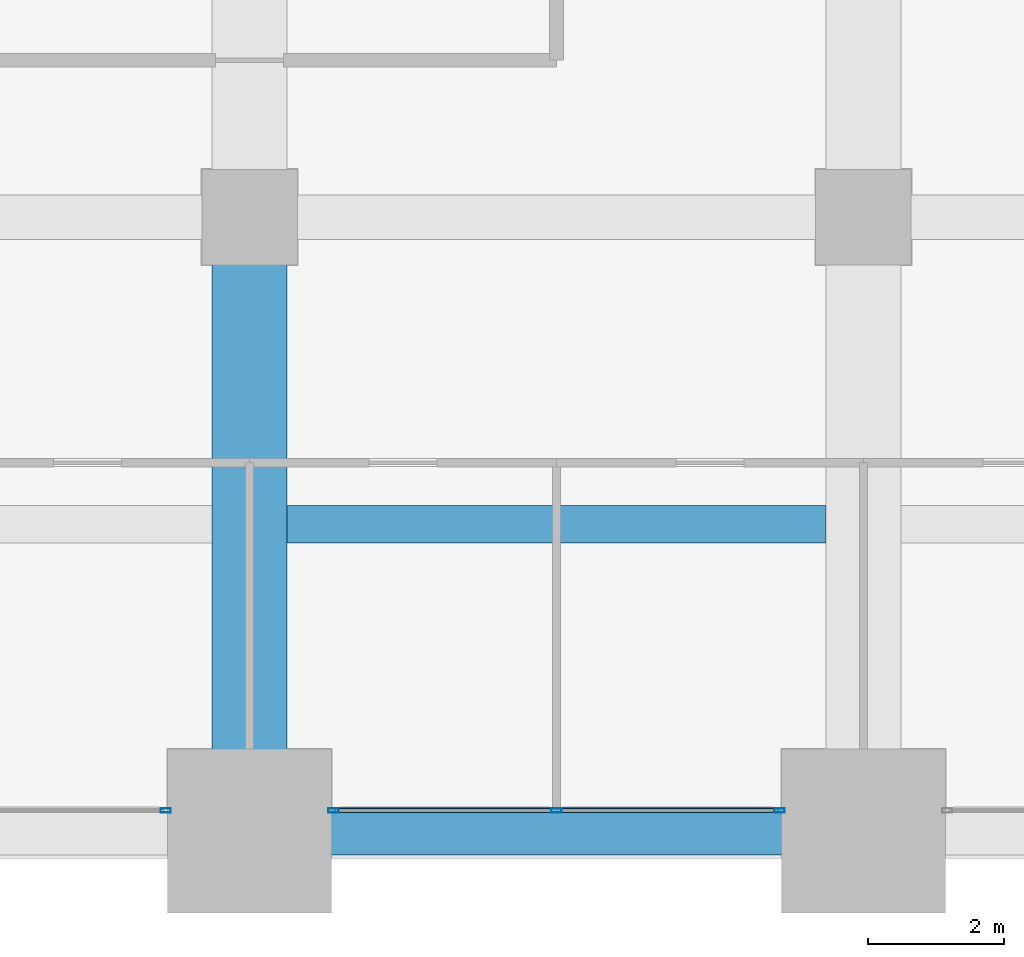
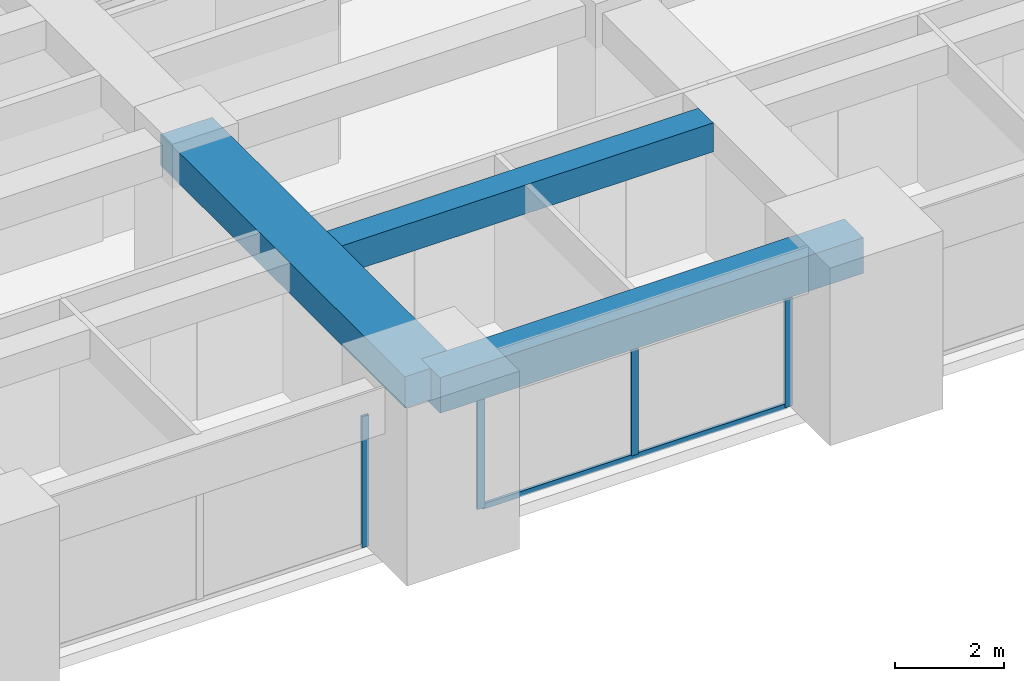
# One storey, part 6 of 33: 5 members, 3 beams, 2 elements without a shape of their own.
"""IFC4 building model written with IfcOpenShell, lengths in metres."""

from ifc_helpers import new_model, si_unit, direction, frame, origin, origin_2d, place, context, subcontext, project, spatial, rectangle, hollow_rectangle, extrude, material, material_profile, profile_set, type_object, element, aggregate, save


model = new_model("IFC4")

# Units and contexts
model_context = context("Model", 3, precision=1e-05, world=origin(), true_north=direction((0.0, 1.0)))
body_context = subcontext(model_context, "Body", "Model", "MODEL_VIEW")
ifc_project = project(units=[si_unit("LENGTHUNIT", "METRE"), si_unit("AREAUNIT", "SQUARE_METRE"), si_unit("VOLUMEUNIT", "CUBIC_METRE"), si_unit("PLANEANGLEUNIT", "RADIAN"), si_unit("MASSUNIT", "GRAM", prefix="KILO")], contexts=[model_context])

# Site, building, storey
site_placement = place(None, origin())
site = spatial("IfcSite", under=ifc_project, at=site_placement, CompositionType="ELEMENT")
building_placement = place(site_placement, origin())
building = spatial("IfcBuilding", under=site, at=building_placement, Name="Zorevar Civic Tower", CompositionType="ELEMENT")
storey_placement = place(building_placement, frame((0.0, 0.0, 206.199951171875)))
storey = spatial("IfcBuildingStorey", under=building, at=storey_placement, Name="L50", CompositionType="ELEMENT", Elevation=206.199951171875)

# Beams
ifc_material_1 = material(Name="Concrete C50/60", Category="concrete")
ifc_material_profile_1 = material_profile(ifc_material_1, rectangle(XDim=1.10009765625, YDim=0.699951171875, at=origin_2d()), Name="RC 1100x700")
ifc_profile_set_1 = profile_set([ifc_material_profile_1], Name="Concrete C50/60")
beam_type_1 = type_object("IfcBeamType", Name="Beam RC 1100x700", PredefinedType="BEAM", material=ifc_profile_set_1)
beam_1_placement = place(storey_placement, frame((18.0, 0.0, 3.400146484375), z_axis=(0.0, 1.0, 0.0), x_axis=(-1.0, 0.0, 0.0)))
element("IfcBeam", 1, at=beam_1_placement, inside=storey, type_object=beam_type_1, Name="Girder L51", PredefinedType="BEAM", context=body_context, shape_type="SweptSolid", body=[
    extrude(rectangle(XDim=1.10009765625, YDim=0.699951171875, at=origin_2d()), origin(), (0.0, 0.0, 1.0), 9.0),
])
ifc_material_2 = material(Name="Concrete C50/60", Category="concrete")
ifc_material_profile_2 = material_profile(ifc_material_2, rectangle(XDim=0.550048828125, YDim=0.64990234375, at=origin_2d()), Name="RC 550x650")
ifc_profile_set_2 = profile_set([ifc_material_profile_2], Name="Concrete C50/60")
beam_type_2 = type_object("IfcBeamType", Name="Beam RC 550x650", PredefinedType="BEAM", material=ifc_profile_set_2)
beam_2_placement = place(storey_placement, frame((18.550048828125, 4.5, 3.425048828125), z_axis=(1.0, 0.0, 0.0), x_axis=(0.0, 1.0, 0.0)))
element("IfcBeam", 2, at=beam_2_placement, inside=storey, type_object=beam_type_2, Name="Secondary beam L51", PredefinedType="BEAM", context=body_context, shape_type="SweptSolid", body=[
    extrude(rectangle(XDim=0.550048828125, YDim=0.64990234375, at=origin_2d()), origin(), (0.0, 0.0, 1.0), 7.89990234375),
])

# Curtain wall, member
ifc_material_3 = material(Name="Dark grey solar-control glass in black aluminium frame", Category="aluminium")
curtain_wall_type = type_object("IfcCurtainWallType", Name="Curtain wall CW4 high zone", PredefinedType="NOTDEFINED", material=ifc_material_3)
curtain_wall_1_placement = place(storey_placement, origin())
curtain_wall_1 = element("IfcCurtainWall", 3, at=curtain_wall_1_placement, inside=storey, type_object=curtain_wall_type, Name="CW4 L50", PredefinedType="NOTDEFINED")
ifc_material_4 = material(Name="Aluminium, black anodised", Category="aluminium")
ifc_material_profile_3 = material_profile(ifc_material_4, hollow_rectangle(XDim=0.06005859375, YDim=0.14990234375, WallThickness=0.00390625, at=origin_2d()), Name="AL 150x60x4")
ifc_profile_set_3 = profile_set([ifc_material_profile_3], Name="Aluminium, black anodised")
member_type_1 = type_object("IfcMemberType", Name="CW4 mullion AL 150x60x4", PredefinedType="MULLION", material=ifc_profile_set_3)
member_1_placement = place(storey_placement, frame((16.77001953125, 0.300048828125, 0.0), z_axis=(0.0, 0.0, 1.0), x_axis=(0.0, 1.0, 0.0)))
member_1 = element("IfcMember", 4, at=member_1_placement, type_object=member_type_1, Name="CW4 mullion 3", PredefinedType="MULLION", context=body_context, shape_type="SweptSolid", body=[
    extrude(hollow_rectangle(XDim=0.06005859375, YDim=0.14990234375, WallThickness=0.00390625, at=origin_2d()), origin(), (0.0, 0.0, 1.0), 2.949951171875),
])
aggregate(curtain_wall_1, [member_1])

# Curtain wall, members
curtain_wall_2_placement = place(storey_placement, origin())
curtain_wall_2 = element("IfcCurtainWall", 5, at=curtain_wall_2_placement, inside=storey, type_object=curtain_wall_type, Name="CW4 L50", PredefinedType="NOTDEFINED")
member_2_placement = place(storey_placement, frame((19.22998046875, 0.300048828125, 0.0), z_axis=(0.0, 0.0, 1.0), x_axis=(0.0, 1.0, 0.0)))
member_2 = element("IfcMember", 6, at=member_2_placement, type_object=member_type_1, Name="CW4 mullion 1", PredefinedType="MULLION", context=body_context, shape_type="SweptSolid", body=[
    extrude(hollow_rectangle(XDim=0.06005859375, YDim=0.14990234375, WallThickness=0.00390625, at=origin_2d()), origin(), (0.0, 0.0, 1.0), 2.949951171875),
])
member_3_placement = place(storey_placement, frame((22.5, 0.300048828125, 0.06005859375), z_axis=(0.0, 0.0, 1.0), x_axis=(0.0, 1.0, 0.0)))
member_3 = element("IfcMember", 7, at=member_3_placement, type_object=member_type_1, Name="CW4 mullion 2", PredefinedType="MULLION", context=body_context, shape_type="SweptSolid", body=[
    extrude(hollow_rectangle(XDim=0.06005859375, YDim=0.14990234375, WallThickness=0.00390625, at=origin_2d()), origin(), (0.0, 0.0, 1.0), 2.889892578125),
])
member_4_placement = place(storey_placement, frame((25.77001953125, 0.300048828125, 0.0), z_axis=(0.0, 0.0, 1.0), x_axis=(0.0, 1.0, 0.0)))
member_4 = element("IfcMember", 8, at=member_4_placement, type_object=member_type_1, Name="CW4 mullion 3", PredefinedType="MULLION", context=body_context, shape_type="SweptSolid", body=[
    extrude(hollow_rectangle(XDim=0.06005859375, YDim=0.14990234375, WallThickness=0.00390625, at=origin_2d()), origin(), (0.0, 0.0, 1.0), 2.949951171875),
])
ifc_material_5 = material(Name="Aluminium, black anodised", Category="aluminium")
ifc_material_profile_4 = material_profile(ifc_material_5, hollow_rectangle(XDim=0.06005859375, YDim=0.1201171875, WallThickness=0.0029296875, at=origin_2d()), Name="AL 120x60x3")
ifc_profile_set_4 = profile_set([ifc_material_profile_4], Name="Aluminium, black anodised")
member_type_2 = type_object("IfcMemberType", Name="CW4 transom AL 120x60x3", PredefinedType="USERDEFINED", material=ifc_profile_set_4)
member_5_placement = place(storey_placement, frame((19.260009765625, 0.300048828125, 0.030029296875), z_axis=(1.0, 0.0, 0.0), x_axis=(0.0, 1.0, 0.0)))
member_5 = element("IfcMember", 9, at=member_5_placement, type_object=member_type_2, Name="CW4 sill transom", ObjectType="TRANSOM", PredefinedType="USERDEFINED", context=body_context, shape_type="SweptSolid", body=[
    extrude(hollow_rectangle(XDim=0.06005859375, YDim=0.1201171875, WallThickness=0.0029296875, at=origin_2d()), origin(), (0.0, 0.0, 1.0), 6.47998046875),
])
aggregate(curtain_wall_2, [member_2, member_3, member_4, member_5])

# Beam
ifc_material_6 = material(Name="Concrete C50/60", Category="concrete")
ifc_material_profile_5 = material_profile(ifc_material_6, rectangle(XDim=0.699951171875, YDim=0.800048828125, at=origin_2d()), Name="RC 700x800")
ifc_profile_set_5 = profile_set([ifc_material_profile_5], Name="Concrete C50/60")
beam_type_3 = type_object("IfcBeamType", Name="Edge beam RC 700x800", PredefinedType="SPANDREL", material=ifc_profile_set_5)
beam_3_placement = place(storey_placement, frame((18.0, 0.0, 3.35009765625), z_axis=(1.0, 0.0, 0.0), x_axis=(0.0, 1.0, 0.0)))
element("IfcBeam", 10, at=beam_3_placement, inside=storey, type_object=beam_type_3, Name="Edge beam L51", PredefinedType="SPANDREL", context=body_context, shape_type="SweptSolid", body=[
    extrude(rectangle(XDim=0.699951171875, YDim=0.800048828125, at=origin_2d()), origin(), (0.0, 0.0, 1.0), 9.0),
])

save(model, "model.ifc")
